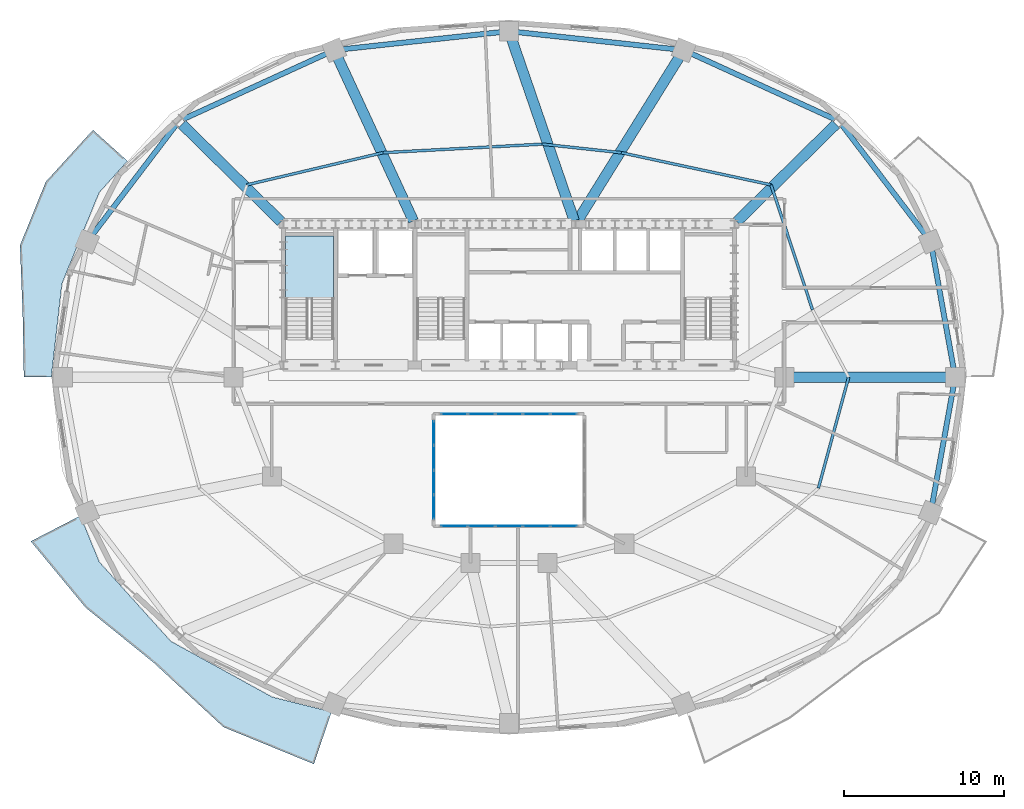
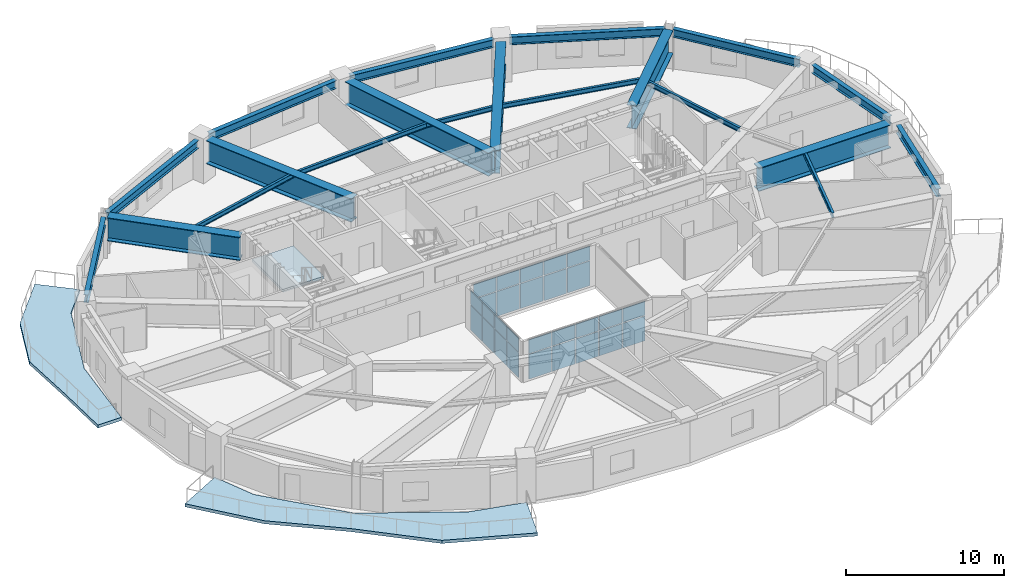
# One storey, part 5 of 13: 28 plates, 20 beams, 3 slabs, 4 elements without a shape of their own.
"""IFC4 building model written with IfcOpenShell, lengths in metres."""

from ifc_helpers import new_model, si_unit, direction, frame, origin, origin_2d, place, context, subcontext, project, spatial, polyline, rectangle, i_section, outline, extrude, material, layer, layer_set, material_profile, profile_set, type_object, element, aggregate, save


model = new_model("IFC4")

# Units and contexts
model_context = context("Model", 3, precision=1e-05, world=origin(), true_north=direction((0.0, 1.0)))
body_context = subcontext(model_context, "Body", "Model", "MODEL_VIEW")
ifc_project = project(units=[si_unit("LENGTHUNIT", "METRE"), si_unit("AREAUNIT", "SQUARE_METRE"), si_unit("VOLUMEUNIT", "CUBIC_METRE"), si_unit("PLANEANGLEUNIT", "RADIAN"), si_unit("MASSUNIT", "GRAM", prefix="KILO")], contexts=[model_context])

# Site, building, storey
site_placement = place(None, origin())
site = spatial("IfcSite", under=ifc_project, at=site_placement, CompositionType="ELEMENT")
building_placement = place(site_placement, origin())
building = spatial("IfcBuilding", under=site, at=building_placement, Name="Haldorwick Loom Tower", CompositionType="ELEMENT")
storey_placement = place(building_placement, frame((0.0, 0.0, 127.699951171875)))
storey = spatial("IfcBuildingStorey", under=building, at=storey_placement, Name="L34", CompositionType="ELEMENT", Elevation=127.699951171875)

# Beams
ifc_material_1 = material(Name="Steel CSA G40.21 350W", Category="steel")
ifc_material_profile_1 = material_profile(ifc_material_1, i_section(OverallWidth=0.172119140625, OverallDepth=0.35791015625, WebThickness=0.0078125, FlangeThickness=0.01318359375, at=origin_2d()), Name="W360X57", Category="steel")
ifc_profile_set_1 = profile_set([ifc_material_profile_1], Name="Steel CSA G40.21 350W")
beam_type_1 = type_object("IfcBeamType", Name="STR-BM-J360", PredefinedType="JOIST", material=ifc_profile_set_1)
beam_1_placement = place(storey_placement, frame((54.953125, 30.201904296875, 2.990966796875), z_axis=(-0.314980632705, 0.949098098734, 0.0), x_axis=(-0.949098098734, -0.314980632705, 0.0)))
element("IfcBeam", 1, at=beam_1_placement, inside=storey, type_object=beam_type_1, Name="L34 Mid-Bay Secondary Joist 2", PredefinedType="JOIST", context=body_context, shape_type="SweptSolid", body=[
    extrude(i_section(OverallWidth=0.172119140625, OverallDepth=0.35791015625, WebThickness=0.0078125, FlangeThickness=0.01318359375, at=origin_2d()), origin(), (0.0, 0.0, 1.0), 8.223876953125),
])
beam_2_placement = place(storey_placement, frame((52.36279296875, 38.007080078125, 2.990966796875), z_axis=(-0.977737366421, 0.209832414808, 0.0), x_axis=(-0.209832414808, -0.977737366421, 0.0)))
element("IfcBeam", 2, at=beam_2_placement, inside=storey, type_object=beam_type_1, Name="L34 Mid-Bay Secondary Joist 3", PredefinedType="JOIST", context=body_context, shape_type="SweptSolid", body=[
    extrude(i_section(OverallWidth=0.172119140625, OverallDepth=0.35791015625, WebThickness=0.0078125, FlangeThickness=0.01318359375, at=origin_2d()), origin(), (0.0, 0.0, 1.0), 9.56396484375),
])
beam_3_placement = place(storey_placement, frame((43.01171875, 40.013916015625, 2.990966796875), z_axis=(-0.994212584227, 0.107430616514, 0.0), x_axis=(-0.107430616514, -0.994212584227, 0.0)))
element("IfcBeam", 3, at=beam_3_placement, inside=storey, type_object=beam_type_1, Name="L34 Mid-Bay Secondary Joist 4", PredefinedType="JOIST", context=body_context, shape_type="SweptSolid", body=[
    extrude(i_section(OverallWidth=0.172119140625, OverallDepth=0.35791015625, WebThickness=0.0078125, FlangeThickness=0.01318359375, at=origin_2d()), origin(), (0.0, 0.0, 1.0), 4.965576171875),
])
beam_4_placement = place(storey_placement, frame((38.074951171875, 40.54736328125, 2.990966796875), z_axis=(-0.998564927415, -0.053554511828, 0.0), x_axis=(0.053554511828, -0.998564927415, 0.0)))
element("IfcBeam", 4, at=beam_4_placement, inside=storey, type_object=beam_type_1, Name="L34 Mid-Bay Secondary Joist 5", PredefinedType="JOIST", context=body_context, shape_type="SweptSolid", body=[
    extrude(i_section(OverallWidth=0.172119140625, OverallDepth=0.35791015625, WebThickness=0.0078125, FlangeThickness=0.01318359375, at=origin_2d()), origin(), (0.0, 0.0, 1.0), 9.9609375),
])
beam_5_placement = place(storey_placement, frame((28.12841796875, 40.013916015625, 2.990966796875), z_axis=(-0.973189168086, -0.230006180612, 0.0), x_axis=(0.230006180612, -0.973189168086, 0.0)))
element("IfcBeam", 5, at=beam_5_placement, inside=storey, type_object=beam_type_1, Name="L34 Mid-Bay Secondary Joist 6", PredefinedType="JOIST", context=body_context, shape_type="SweptSolid", body=[
    extrude(i_section(OverallWidth=0.172119140625, OverallDepth=0.35791015625, WebThickness=0.0078125, FlangeThickness=0.01318359375, at=origin_2d()), origin(), (0.0, 0.0, 1.0), 8.72509765625),
])
beam_6_placement = place(storey_placement, frame((55.318115234375, 19.072998046875, 2.990966796875), z_axis=(0.263272762578, 0.964721437766, 0.0), x_axis=(-0.964721437766, 0.263272762578, 0.0)))
element("IfcBeam", 6, at=beam_6_placement, inside=storey, type_object=beam_type_1, Name="L34 Mid-Bay Secondary Joist 16", PredefinedType="JOIST", context=body_context, shape_type="SweptSolid", body=[
    extrude(i_section(OverallWidth=0.172119140625, OverallDepth=0.35791015625, WebThickness=0.0078125, FlangeThickness=0.01318359375, at=origin_2d()), origin(), (0.0, 0.0, 1.0), 7.180419921875),
])
ifc_material_profile_2 = material_profile(ifc_material_1, i_section(OverallWidth=0.324951171875, OverallDepth=0.615966796875, WebThickness=0.013916015625, FlangeThickness=0.021484375, at=origin_2d()), Name="W610X174", Category="steel")
ifc_profile_set_2 = profile_set([ifc_material_profile_2], Name="Steel CSA G40.21 350W")
beam_type_2 = type_object("IfcBeamType", Name="STR-BM-SP610", PredefinedType="SPANDREL", material=ifc_profile_set_2)
beam_7_placement = place(storey_placement, frame((63.76513671875, 26.51171875, 2.862060546875), z_axis=(-0.177659490888, 0.984092020747, 0.0), x_axis=(-0.984092020747, -0.177659490888, 0.0)))
element("IfcBeam", 7, at=beam_7_placement, inside=storey, type_object=beam_type_2, Name="L34 Perimeter Spandrel 1", PredefinedType="SPANDREL", context=body_context, shape_type="SweptSolid", body=[
    extrude(i_section(OverallWidth=0.324951171875, OverallDepth=0.615966796875, WebThickness=0.013916015625, FlangeThickness=0.021484375, at=origin_2d()), origin(), (0.0, 0.0, 1.0), 7.553955078125),
])
beam_8_placement = place(storey_placement, frame((62.015869140625, 34.87109375, 2.862060546875), z_axis=(-0.605453508047, 0.795880675475, 0.0), x_axis=(-0.795880675475, -0.605453508047, 0.0)))
element("IfcBeam", 8, at=beam_8_placement, inside=storey, type_object=beam_type_2, Name="L34 Perimeter Spandrel 2", PredefinedType="SPANDREL", context=body_context, shape_type="SweptSolid", body=[
    extrude(i_section(OverallWidth=0.324951171875, OverallDepth=0.615966796875, WebThickness=0.013916015625, FlangeThickness=0.021484375, at=origin_2d()), origin(), (0.0, 0.0, 1.0), 8.6591796875),
])
beam_9_placement = place(storey_placement, frame((56.356689453125, 42.09619140625, 2.862060546875), z_axis=(-0.909423969306, 0.415870225011, 0.0), x_axis=(-0.415870225011, -0.909423969306, 0.0)))
element("IfcBeam", 9, at=beam_9_placement, inside=storey, type_object=beam_type_2, Name="L34 Perimeter Spandrel 3", PredefinedType="SPANDREL", context=body_context, shape_type="SweptSolid", body=[
    extrude(i_section(OverallWidth=0.324951171875, OverallDepth=0.615966796875, WebThickness=0.013916015625, FlangeThickness=0.021484375, at=origin_2d()), origin(), (0.0, 0.0, 1.0), 9.871337890625),
])
for number, where, z_axis, x_axis, name in (
    (10, (46.389404296875, 46.4736328125, 2.862060546875), (-0.994190135627, 0.107638163409, 0.0), (-0.107638163409, -0.994190135627, 0.0), "L34 Perimeter Spandrel 4"),
    (11, (35.48291015625, 47.54248046875, 2.862060546875), (-0.994190135627, -0.107638163409, 0.0), (0.107638163409, -0.994190135627, 0.0), "L34 Perimeter Spandrel 5"),
):
    element("IfcBeam", number, at=place(storey_placement, frame(where, z_axis=z_axis, x_axis=x_axis)), inside=storey, type_object=beam_type_2, Name=name, PredefinedType="SPANDREL", context=body_context, shape_type="SweptSolid", body=[
        extrude(i_section(OverallWidth=0.324951171875, OverallDepth=0.615966796875, WebThickness=0.013916015625, FlangeThickness=0.021484375, at=origin_2d()), origin(), (0.0, 0.0, 1.0), 9.929931640625),
    ])
beam_10_placement = place(storey_placement, frame((24.62060546875, 46.201416015625, 2.862060546875), z_axis=(-0.909423969306, -0.415870225011, 0.0), x_axis=(0.415870225011, -0.909423969306, 0.0)))
element("IfcBeam", 12, at=beam_10_placement, inside=storey, type_object=beam_type_2, Name="L34 Perimeter Spandrel 6", PredefinedType="SPANDREL", context=body_context, shape_type="SweptSolid", body=[
    extrude(i_section(OverallWidth=0.324951171875, OverallDepth=0.615966796875, WebThickness=0.013916015625, FlangeThickness=0.021484375, at=origin_2d()), origin(), (0.0, 0.0, 1.0), 9.871337890625),
])
beam_11_placement = place(storey_placement, frame((15.226806640625, 41.7626953125, 2.862060546875), z_axis=(-0.605453508047, -0.795880675475, 0.0), x_axis=(0.795880675475, -0.605453508047, 0.0)))
element("IfcBeam", 13, at=beam_11_placement, inside=storey, type_object=beam_type_2, Name="L34 Perimeter Spandrel 7", PredefinedType="SPANDREL", context=body_context, shape_type="SweptSolid", body=[
    extrude(i_section(OverallWidth=0.324951171875, OverallDepth=0.615966796875, WebThickness=0.013916015625, FlangeThickness=0.021484375, at=origin_2d()), origin(), (0.0, 0.0, 1.0), 8.6591796875),
])
beam_12_placement = place(storey_placement, frame((62.423095703125, 18.054443359375, 2.862060546875), z_axis=(0.177659490888, 0.984092020747, 0.0), x_axis=(-0.984092020747, 0.177659490888, 0.0)))
element("IfcBeam", 14, at=beam_12_placement, inside=storey, type_object=beam_type_2, Name="L34 Perimeter Spandrel 16", PredefinedType="SPANDREL", context=body_context, shape_type="SweptSolid", body=[
    extrude(i_section(OverallWidth=0.324951171875, OverallDepth=0.615966796875, WebThickness=0.013916015625, FlangeThickness=0.021484375, at=origin_2d()), origin(), (0.0, 0.0, 1.0), 7.553955078125),
])
ifc_material_2 = material(Name="Steel CSA G40.21 350WT", Category="steel")
ifc_material_profile_3 = material_profile(ifc_material_2, i_section(OverallWidth=0.64990234375, OverallDepth=1.800048828125, WebThickness=0.02587890625, FlangeThickness=0.048095703125, at=origin_2d()), Name="WWF1800X650", Category="steel")
ifc_profile_set_3 = profile_set([ifc_material_profile_3], Name="Steel CSA G40.21 350WT")
beam_type_3 = type_object("IfcBeamType", Name="STR-BM-TG1800", PredefinedType="BEAM", material=ifc_profile_set_3)
beam_13_placement = place(storey_placement, frame((53.719970703125, 26.0, 2.27001953125), z_axis=(1.0, 0.0, 0.0), x_axis=(0.0, 1.0, 0.0)))
element("IfcBeam", 15, at=beam_13_placement, inside=storey, type_object=beam_type_3, Name="L34 Setback Inner Transfer Girder 1", PredefinedType="BEAM", context=body_context, shape_type="SweptSolid", body=[
    extrude(i_section(OverallWidth=0.64990234375, OverallDepth=1.800048828125, WebThickness=0.02587890625, FlangeThickness=0.048095703125, at=origin_2d()), origin(), (0.0, 0.0, 1.0), 9.61767578125),
])
beam_14_placement = place(storey_placement, frame((50.23046875, 35.707763671875, 2.27001953125), z_axis=(0.712813667541, 0.701353459653, 0.0), x_axis=(-0.701353459653, 0.712813667541, 0.0)))
element("IfcBeam", 16, at=beam_14_placement, inside=storey, type_object=beam_type_3, Name="L34 Setback Inner Transfer Girder 3", PredefinedType="BEAM", context=body_context, shape_type="SweptSolid", body=[
    extrude(i_section(OverallWidth=0.64990234375, OverallDepth=1.800048828125, WebThickness=0.02587890625, FlangeThickness=0.048095703125, at=origin_2d()), origin(), (0.0, 0.0, 1.0), 8.67041015625),
])
beam_15_placement = place(storey_placement, frame((40.268798828125, 35.7412109375, 2.27001953125), z_axis=(0.527983484361, 0.849254638046, 0.0), x_axis=(-0.849254638046, 0.527983484361, 0.0)))
element("IfcBeam", 17, at=beam_15_placement, inside=storey, type_object=beam_type_3, Name="L34 Setback Inner Transfer Girder 4", PredefinedType="BEAM", context=body_context, shape_type="SweptSolid", body=[
    extrude(i_section(OverallWidth=0.64990234375, OverallDepth=1.800048828125, WebThickness=0.02587890625, FlangeThickness=0.048095703125, at=origin_2d()), origin(), (0.0, 0.0, 1.0), 12.051513671875),
])
beam_16_placement = place(storey_placement, frame((40.07666015625, 35.7626953125, 2.27001953125), z_axis=(-0.325673980289, 0.945482130218, 0.0), x_axis=(-0.945482130218, -0.325673980289, 0.0)))
element("IfcBeam", 18, at=beam_16_placement, inside=storey, type_object=beam_type_3, Name="L34 Setback Inner Transfer Girder 5", PredefinedType="BEAM", context=body_context, shape_type="SweptSolid", body=[
    extrude(i_section(OverallWidth=0.64990234375, OverallDepth=1.800048828125, WebThickness=0.02587890625, FlangeThickness=0.048095703125, at=origin_2d()), origin(), (0.0, 0.0, 1.0), 11.998046875),
])
beam_17_placement = place(storey_placement, frame((30.035400390625, 35.754150390625, 2.27001953125), z_axis=(-0.420492432459, 0.907296045536, 0.0), x_axis=(-0.907296045536, -0.420492432459, 0.0)))
element("IfcBeam", 19, at=beam_17_placement, inside=storey, type_object=beam_type_3, Name="L34 Setback Inner Transfer Girder 6", PredefinedType="BEAM", context=body_context, shape_type="SweptSolid", body=[
    extrude(i_section(OverallWidth=0.64990234375, OverallDepth=1.800048828125, WebThickness=0.02587890625, FlangeThickness=0.048095703125, at=origin_2d()), origin(), (0.0, 0.0, 1.0), 11.23291015625),
])
beam_18_placement = place(storey_placement, frame((21.76953125, 35.707763671875, 2.27001953125), z_axis=(-0.712813667541, 0.701353459653, 0.0), x_axis=(-0.701353459653, -0.712813667541, 0.0)))
element("IfcBeam", 20, at=beam_18_placement, inside=storey, type_object=beam_type_3, Name="L34 Setback Inner Transfer Girder 7", PredefinedType="BEAM", context=body_context, shape_type="SweptSolid", body=[
    extrude(i_section(OverallWidth=0.64990234375, OverallDepth=1.800048828125, WebThickness=0.02587890625, FlangeThickness=0.048095703125, at=origin_2d()), origin(), (0.0, 0.0, 1.0), 8.67041015625),
])

# Curtain wall, plates
ifc_material_3 = material(Name="Thermally Broken Anodized Aluminium Curtain Wall Framing", Category="aluminium")
curtain_wall_type = type_object("IfcCurtainWallType", Name="ARC-CW-03", PredefinedType="NOTDEFINED", material=ifc_material_3)
curtain_wall_1_placement = place(storey_placement, origin())
curtain_wall_1 = element("IfcCurtainWall", 21, at=curtain_wall_1_placement, inside=storey, type_object=curtain_wall_type, Name="L34 Atrium Glazed Screen S", PredefinedType="NOTDEFINED")
ifc_material_4 = material(Name="Triple-Glazed Low-E Argon Insulated Glazing Unit", Category="glass")
ifc_layer_1 = layer(ifc_material_4, 0.04296875, Name="Triple-Glazed Low-E Argon Insulated Glazing Unit", Category="glass")
ifc_layer_set_1 = layer_set([ifc_layer_1], Name="Triple-Glazed Low-E Argon Insulated Glazing Unit")
plate_type = type_object("IfcPlateType", Name="ARC-CWP-03", PredefinedType="CURTAIN_PANEL", material=ifc_layer_set_1)
plate_1_placement = place(storey_placement, frame((39.423583984375, 16.699951171875, 0.066162109375), z_axis=(0.0, 0.0, 1.0), x_axis=(-1.0, 0.0, 0.0)))
plate_1 = element("IfcPlate", 22, at=plate_1_placement, type_object=plate_type, Name="CW-03 panel 1.1", PredefinedType="CURTAIN_PANEL", context=body_context, shape_type="SweptSolid", body=[
    extrude(rectangle(XDim=1.62109375, YDim=0.04296875, at=origin_2d()), origin(), (0.0, 0.0, 1.0), 1.90087890625),
])
plate_2_placement = place(storey_placement, frame((39.423583984375, 16.699951171875, 2.033203125), z_axis=(0.0, 0.0, 1.0), x_axis=(-1.0, 0.0, 0.0)))
plate_2 = element("IfcPlate", 23, at=plate_2_placement, type_object=plate_type, Name="CW-03 panel 1.2", PredefinedType="CURTAIN_PANEL", context=body_context, shape_type="SweptSolid", body=[
    extrude(rectangle(XDim=1.62109375, YDim=0.04296875, at=origin_2d()), origin(), (0.0, 0.0, 1.0), 1.071044921875),
])
plate_3_placement = place(storey_placement, frame((37.719970703125, 16.699951171875, 0.066162109375), z_axis=(0.0, 0.0, 1.0), x_axis=(-1.0, 0.0, 0.0)))
plate_3 = element("IfcPlate", 24, at=plate_3_placement, type_object=plate_type, Name="CW-03 panel 2.1", PredefinedType="CURTAIN_PANEL", context=body_context, shape_type="SweptSolid", body=[
    extrude(rectangle(XDim=1.654052734375, YDim=0.04296875, at=origin_2d()), origin(), (0.0, 0.0, 1.0), 1.90087890625),
])
plate_4_placement = place(storey_placement, frame((37.719970703125, 16.699951171875, 2.033203125), z_axis=(0.0, 0.0, 1.0), x_axis=(-1.0, 0.0, 0.0)))
plate_4 = element("IfcPlate", 25, at=plate_4_placement, type_object=plate_type, Name="CW-03 panel 2.2", PredefinedType="CURTAIN_PANEL", context=body_context, shape_type="SweptSolid", body=[
    extrude(rectangle(XDim=1.654052734375, YDim=0.04296875, at=origin_2d()), origin(), (0.0, 0.0, 1.0), 1.071044921875),
])
plate_5_placement = place(storey_placement, frame((36.0, 16.699951171875, 0.066162109375), z_axis=(0.0, 0.0, 1.0), x_axis=(-1.0, 0.0, 0.0)))
plate_5 = element("IfcPlate", 26, at=plate_5_placement, type_object=plate_type, Name="CW-03 panel 3.1", PredefinedType="CURTAIN_PANEL", context=body_context, shape_type="SweptSolid", body=[
    extrude(rectangle(XDim=1.654052734375, YDim=0.04296875, at=origin_2d()), origin(), (0.0, 0.0, 1.0), 1.90087890625),
])
plate_6_placement = place(storey_placement, frame((36.0, 16.699951171875, 2.033203125), z_axis=(0.0, 0.0, 1.0), x_axis=(-1.0, 0.0, 0.0)))
plate_6 = element("IfcPlate", 27, at=plate_6_placement, type_object=plate_type, Name="CW-03 panel 3.2", PredefinedType="CURTAIN_PANEL", context=body_context, shape_type="SweptSolid", body=[
    extrude(rectangle(XDim=1.654052734375, YDim=0.04296875, at=origin_2d()), origin(), (0.0, 0.0, 1.0), 1.071044921875),
])
plate_7_placement = place(storey_placement, frame((34.280029296875, 16.699951171875, 0.066162109375), z_axis=(0.0, 0.0, 1.0), x_axis=(-1.0, 0.0, 0.0)))
plate_7 = element("IfcPlate", 28, at=plate_7_placement, type_object=plate_type, Name="CW-03 panel 4.1", PredefinedType="CURTAIN_PANEL", context=body_context, shape_type="SweptSolid", body=[
    extrude(rectangle(XDim=1.654052734375, YDim=0.04296875, at=origin_2d()), origin(), (0.0, 0.0, 1.0), 1.90087890625),
])
plate_8_placement = place(storey_placement, frame((34.280029296875, 16.699951171875, 2.033203125), z_axis=(0.0, 0.0, 1.0), x_axis=(-1.0, 0.0, 0.0)))
plate_8 = element("IfcPlate", 29, at=plate_8_placement, type_object=plate_type, Name="CW-03 panel 4.2", PredefinedType="CURTAIN_PANEL", context=body_context, shape_type="SweptSolid", body=[
    extrude(rectangle(XDim=1.654052734375, YDim=0.04296875, at=origin_2d()), origin(), (0.0, 0.0, 1.0), 1.071044921875),
])
plate_9_placement = place(storey_placement, frame((32.576416015625, 16.699951171875, 0.066162109375), z_axis=(0.0, 0.0, 1.0), x_axis=(-1.0, 0.0, 0.0)))
plate_9 = element("IfcPlate", 30, at=plate_9_placement, type_object=plate_type, Name="CW-03 panel 5.1", PredefinedType="CURTAIN_PANEL", context=body_context, shape_type="SweptSolid", body=[
    extrude(rectangle(XDim=1.62109375, YDim=0.04296875, at=origin_2d()), origin(), (0.0, 0.0, 1.0), 1.90087890625),
])
plate_10_placement = place(storey_placement, frame((32.576416015625, 16.699951171875, 2.033203125), z_axis=(0.0, 0.0, 1.0), x_axis=(-1.0, 0.0, 0.0)))
plate_10 = element("IfcPlate", 31, at=plate_10_placement, type_object=plate_type, Name="CW-03 panel 5.2", PredefinedType="CURTAIN_PANEL", context=body_context, shape_type="SweptSolid", body=[
    extrude(rectangle(XDim=1.62109375, YDim=0.04296875, at=origin_2d()), origin(), (0.0, 0.0, 1.0), 1.071044921875),
])
aggregate(curtain_wall_1, [plate_1, plate_2, plate_3, plate_4, plate_5, plate_6, plate_7, plate_8, plate_9, plate_10])

curtain_wall_2_placement = place(storey_placement, origin())
curtain_wall_2 = element("IfcCurtainWall", 32, at=curtain_wall_2_placement, inside=storey, type_object=curtain_wall_type, Name="L34 Atrium Glazed Screen N", PredefinedType="NOTDEFINED")
plate_11_placement = place(storey_placement, frame((32.576416015625, 23.699951171875, 0.066162109375), z_axis=(0.0, 0.0, 1.0), x_axis=(1.0, 0.0, 0.0)))
plate_11 = element("IfcPlate", 33, at=plate_11_placement, type_object=plate_type, Name="CW-03 panel 1.1", PredefinedType="CURTAIN_PANEL", context=body_context, shape_type="SweptSolid", body=[
    extrude(rectangle(XDim=1.62109375, YDim=0.04296875, at=origin_2d()), origin(), (0.0, 0.0, 1.0), 1.90087890625),
])
plate_12_placement = place(storey_placement, frame((32.576416015625, 23.699951171875, 2.033203125), z_axis=(0.0, 0.0, 1.0), x_axis=(1.0, 0.0, 0.0)))
plate_12 = element("IfcPlate", 34, at=plate_12_placement, type_object=plate_type, Name="CW-03 panel 1.2", PredefinedType="CURTAIN_PANEL", context=body_context, shape_type="SweptSolid", body=[
    extrude(rectangle(XDim=1.62109375, YDim=0.04296875, at=origin_2d()), origin(), (0.0, 0.0, 1.0), 1.071044921875),
])
plate_13_placement = place(storey_placement, frame((34.280029296875, 23.699951171875, 0.066162109375), z_axis=(0.0, 0.0, 1.0), x_axis=(1.0, 0.0, 0.0)))
plate_13 = element("IfcPlate", 35, at=plate_13_placement, type_object=plate_type, Name="CW-03 panel 2.1", PredefinedType="CURTAIN_PANEL", context=body_context, shape_type="SweptSolid", body=[
    extrude(rectangle(XDim=1.654052734375, YDim=0.04296875, at=origin_2d()), origin(), (0.0, 0.0, 1.0), 1.90087890625),
])
plate_14_placement = place(storey_placement, frame((34.280029296875, 23.699951171875, 2.033203125), z_axis=(0.0, 0.0, 1.0), x_axis=(1.0, 0.0, 0.0)))
plate_14 = element("IfcPlate", 36, at=plate_14_placement, type_object=plate_type, Name="CW-03 panel 2.2", PredefinedType="CURTAIN_PANEL", context=body_context, shape_type="SweptSolid", body=[
    extrude(rectangle(XDim=1.654052734375, YDim=0.04296875, at=origin_2d()), origin(), (0.0, 0.0, 1.0), 1.071044921875),
])
plate_15_placement = place(storey_placement, frame((36.0, 23.699951171875, 0.066162109375), z_axis=(0.0, 0.0, 1.0), x_axis=(1.0, 0.0, 0.0)))
plate_15 = element("IfcPlate", 37, at=plate_15_placement, type_object=plate_type, Name="CW-03 panel 3.1", PredefinedType="CURTAIN_PANEL", context=body_context, shape_type="SweptSolid", body=[
    extrude(rectangle(XDim=1.654052734375, YDim=0.04296875, at=origin_2d()), origin(), (0.0, 0.0, 1.0), 1.90087890625),
])
plate_16_placement = place(storey_placement, frame((36.0, 23.699951171875, 2.033203125), z_axis=(0.0, 0.0, 1.0), x_axis=(1.0, 0.0, 0.0)))
plate_16 = element("IfcPlate", 38, at=plate_16_placement, type_object=plate_type, Name="CW-03 panel 3.2", PredefinedType="CURTAIN_PANEL", context=body_context, shape_type="SweptSolid", body=[
    extrude(rectangle(XDim=1.654052734375, YDim=0.04296875, at=origin_2d()), origin(), (0.0, 0.0, 1.0), 1.071044921875),
])
plate_17_placement = place(storey_placement, frame((37.719970703125, 23.699951171875, 0.066162109375), z_axis=(0.0, 0.0, 1.0), x_axis=(1.0, 0.0, 0.0)))
plate_17 = element("IfcPlate", 39, at=plate_17_placement, type_object=plate_type, Name="CW-03 panel 4.1", PredefinedType="CURTAIN_PANEL", context=body_context, shape_type="SweptSolid", body=[
    extrude(rectangle(XDim=1.654052734375, YDim=0.04296875, at=origin_2d()), origin(), (0.0, 0.0, 1.0), 1.90087890625),
])
plate_18_placement = place(storey_placement, frame((37.719970703125, 23.699951171875, 2.033203125), z_axis=(0.0, 0.0, 1.0), x_axis=(1.0, 0.0, 0.0)))
plate_18 = element("IfcPlate", 40, at=plate_18_placement, type_object=plate_type, Name="CW-03 panel 4.2", PredefinedType="CURTAIN_PANEL", context=body_context, shape_type="SweptSolid", body=[
    extrude(rectangle(XDim=1.654052734375, YDim=0.04296875, at=origin_2d()), origin(), (0.0, 0.0, 1.0), 1.071044921875),
])
plate_19_placement = place(storey_placement, frame((39.423583984375, 23.699951171875, 0.066162109375), z_axis=(0.0, 0.0, 1.0), x_axis=(1.0, 0.0, 0.0)))
plate_19 = element("IfcPlate", 41, at=plate_19_placement, type_object=plate_type, Name="CW-03 panel 5.1", PredefinedType="CURTAIN_PANEL", context=body_context, shape_type="SweptSolid", body=[
    extrude(rectangle(XDim=1.62109375, YDim=0.04296875, at=origin_2d()), origin(), (0.0, 0.0, 1.0), 1.90087890625),
])
plate_20_placement = place(storey_placement, frame((39.423583984375, 23.699951171875, 2.033203125), z_axis=(0.0, 0.0, 1.0), x_axis=(1.0, 0.0, 0.0)))
plate_20 = element("IfcPlate", 42, at=plate_20_placement, type_object=plate_type, Name="CW-03 panel 5.2", PredefinedType="CURTAIN_PANEL", context=body_context, shape_type="SweptSolid", body=[
    extrude(rectangle(XDim=1.62109375, YDim=0.04296875, at=origin_2d()), origin(), (0.0, 0.0, 1.0), 1.071044921875),
])
aggregate(curtain_wall_2, [plate_11, plate_12, plate_13, plate_14, plate_15, plate_16, plate_17, plate_18, plate_19, plate_20])

curtain_wall_3_placement = place(storey_placement, origin())
curtain_wall_3 = element("IfcCurtainWall", 43, at=curtain_wall_3_placement, inside=storey, type_object=curtain_wall_type, Name="L34 Atrium Glazed Screen W", PredefinedType="NOTDEFINED")
plate_21_placement = place(storey_placement, frame((31.300048828125, 17.8916015625, 0.066162109375), z_axis=(0.0, 0.0, 1.0), x_axis=(0.0, 1.0, 0.0)))
plate_21 = element("IfcPlate", 44, at=plate_21_placement, type_object=plate_type, Name="CW-03 panel 1.1", PredefinedType="CURTAIN_PANEL", context=body_context, shape_type="SweptSolid", body=[
    extrude(rectangle(XDim=1.450927734375, YDim=0.04296875, at=origin_2d()), origin(), (0.0, 0.0, 1.0), 1.90087890625),
])
plate_22_placement = place(storey_placement, frame((31.300048828125, 17.8916015625, 2.033203125), z_axis=(0.0, 0.0, 1.0), x_axis=(0.0, 1.0, 0.0)))
plate_22 = element("IfcPlate", 45, at=plate_22_placement, type_object=plate_type, Name="CW-03 panel 1.2", PredefinedType="CURTAIN_PANEL", context=body_context, shape_type="SweptSolid", body=[
    extrude(rectangle(XDim=1.450927734375, YDim=0.04296875, at=origin_2d()), origin(), (0.0, 0.0, 1.0), 1.071044921875),
])
plate_23_placement = place(storey_placement, frame((31.300048828125, 19.425048828125, 0.066162109375), z_axis=(0.0, 0.0, 1.0), x_axis=(0.0, 1.0, 0.0)))
plate_23 = element("IfcPlate", 46, at=plate_23_placement, type_object=plate_type, Name="CW-03 panel 2.1", PredefinedType="CURTAIN_PANEL", context=body_context, shape_type="SweptSolid", body=[
    extrude(rectangle(XDim=1.48388671875, YDim=0.04296875, at=origin_2d()), origin(), (0.0, 0.0, 1.0), 1.90087890625),
])
plate_24_placement = place(storey_placement, frame((31.300048828125, 19.425048828125, 2.033203125), z_axis=(0.0, 0.0, 1.0), x_axis=(0.0, 1.0, 0.0)))
plate_24 = element("IfcPlate", 47, at=plate_24_placement, type_object=plate_type, Name="CW-03 panel 2.2", PredefinedType="CURTAIN_PANEL", context=body_context, shape_type="SweptSolid", body=[
    extrude(rectangle(XDim=1.48388671875, YDim=0.04296875, at=origin_2d()), origin(), (0.0, 0.0, 1.0), 1.071044921875),
])
plate_25_placement = place(storey_placement, frame((31.300048828125, 20.97509765625, 0.066162109375), z_axis=(0.0, 0.0, 1.0), x_axis=(0.0, 1.0, 0.0)))
plate_25 = element("IfcPlate", 48, at=plate_25_placement, type_object=plate_type, Name="CW-03 panel 3.1", PredefinedType="CURTAIN_PANEL", context=body_context, shape_type="SweptSolid", body=[
    extrude(rectangle(XDim=1.48388671875, YDim=0.04296875, at=origin_2d()), origin(), (0.0, 0.0, 1.0), 1.90087890625),
])
plate_26_placement = place(storey_placement, frame((31.300048828125, 20.97509765625, 2.033203125), z_axis=(0.0, 0.0, 1.0), x_axis=(0.0, 1.0, 0.0)))
plate_26 = element("IfcPlate", 49, at=plate_26_placement, type_object=plate_type, Name="CW-03 panel 3.2", PredefinedType="CURTAIN_PANEL", context=body_context, shape_type="SweptSolid", body=[
    extrude(rectangle(XDim=1.48388671875, YDim=0.04296875, at=origin_2d()), origin(), (0.0, 0.0, 1.0), 1.071044921875),
])
plate_27_placement = place(storey_placement, frame((31.300048828125, 22.508544921875, 0.066162109375), z_axis=(0.0, 0.0, 1.0), x_axis=(0.0, 1.0, 0.0)))
plate_27 = element("IfcPlate", 50, at=plate_27_placement, type_object=plate_type, Name="CW-03 panel 4.1", PredefinedType="CURTAIN_PANEL", context=body_context, shape_type="SweptSolid", body=[
    extrude(rectangle(XDim=1.450927734375, YDim=0.04296875, at=origin_2d()), origin(), (0.0, 0.0, 1.0), 1.90087890625),
])
plate_28_placement = place(storey_placement, frame((31.300048828125, 22.508544921875, 2.033203125), z_axis=(0.0, 0.0, 1.0), x_axis=(0.0, 1.0, 0.0)))
plate_28 = element("IfcPlate", 51, at=plate_28_placement, type_object=plate_type, Name="CW-03 panel 4.2", PredefinedType="CURTAIN_PANEL", context=body_context, shape_type="SweptSolid", body=[
    extrude(rectangle(XDim=1.450927734375, YDim=0.04296875, at=origin_2d()), origin(), (0.0, 0.0, 1.0), 1.071044921875),
])
aggregate(curtain_wall_3, [plate_21, plate_22, plate_23, plate_24, plate_25, plate_26, plate_27, plate_28])

# Slabs
ifc_material_5 = material(Name="Concrete C40 (40 MPa)", Category="concrete")
ifc_layer_2 = layer(ifc_material_5, 0.239990234375, Name="Concrete C40 (40 MPa)", Category="concrete")
ifc_layer_set_2 = layer_set([ifc_layer_2], Name="Concrete C40 (40 MPa)")
slab_type_1 = type_object("IfcSlabType", Name="STR-SLB-BAL240", PredefinedType="FLOOR", material=ifc_layer_set_2)
slab_1_placement = place(storey_placement, frame((0.0, 0.0, -0.239990234375)))
element("IfcSlab", 52, at=slab_1_placement, inside=storey, type_object=slab_type_1, Name="L34 Sinusoidal Balcony Terrace BAL_SW", PredefinedType="FLOOR", context=body_context, shape_type="SweptSolid", body=[
    extrude(outline(polyline([(24.91357421875, 5.10498046875), (21.23583984375, 6.022705078125), (21.234619140625, 6.023193359375), (21.2333984375, 6.023681640625), (21.232177734375, 6.0244140625), (14.89111328125, 9.51025390625), (14.8896484375, 9.510986328125), (14.88818359375, 9.51220703125), (14.88720703125, 9.51318359375), (10.4228515625, 14.464599609375), (10.421875, 14.465576171875), (10.421142578125, 14.466552734375), (10.420654296875, 14.4677734375), (10.419921875, 14.468994140625), (9.241455078125, 17.34814453125), (6.151611328125, 15.751708984375), (9.568115234375, 11.616943359375), (13.835693359375, 8.16259765625), (18.172607421875, 4.155517578125), (23.825439453125, 1.84326171875), (24.91357421875, 5.10498046875)])), origin(), (0.0, 0.0, 1.0), 0.239990234375),
])
slab_2_placement = place(storey_placement, frame((0.0, 0.0, -0.239990234375)))
element("IfcSlab", 53, at=slab_2_placement, inside=storey, type_object=slab_type_1, Name="L34 Sinusoidal Balcony Terrace BAL_WNW", PredefinedType="FLOOR", context=body_context, shape_type="SweptSolid", body=[
    extrude(outline(polyline([(7.427490234375, 26.0), (7.427490234375, 26.001708984375), (8.09033203125, 31.837890625), (8.090576171875, 31.83935546875), (8.0908203125, 31.840576171875), (8.09130859375, 31.841796875), (10.419921875, 37.531005859375), (10.420654296875, 37.5322265625), (10.421142578125, 37.533447265625), (10.421875, 37.534423828125), (10.4228515625, 37.535400390625), (12.1865234375, 39.49169921875), (10.03076171875, 41.431640625), (7.083984375, 38.197509765625), (5.47412109375, 34.22265625), (5.642578125, 29.9150390625), (5.7158203125, 26.0), (7.427490234375, 26.0)])), origin(), (0.0, 0.0, 1.0), 0.239990234375),
])

# Stair, slab
stair_type = type_object("IfcStairType", Name="STR-STR-CORE", PredefinedType="HALF_TURN_STAIR", material=ifc_material_5)
stair_placement = place(storey_placement, origin())
stair = element("IfcStair", 54, at=stair_placement, inside=storey, type_object=stair_type, Name="L34 Exit Stair ST-01", PredefinedType="HALF_TURN_STAIR")
ifc_layer_3 = layer(ifc_material_5, 0.199951171875, Name="Concrete C40 (40 MPa)", Category="concrete")
ifc_layer_set_3 = layer_set([ifc_layer_3], Name="Concrete C40 (40 MPa)")
slab_type_2 = type_object("IfcSlabType", Name="STR-SLB-LAND200", PredefinedType="LANDING", material=ifc_layer_set_3)
slab_3_placement = place(storey_placement, frame((0.0, 0.0, 1.525146484375)))
slab_3 = element("IfcSlab", 55, at=slab_3_placement, type_object=slab_type_2, Name="ST-01 landing 1", PredefinedType="LANDING", context=body_context, shape_type="SweptSolid", body=[
    extrude(outline(polyline([(25.050048828125, 30.919921875), (25.050048828125, 34.800048828125), (22.050048828125, 34.800048828125), (22.050048828125, 30.919921875), (25.050048828125, 30.919921875)])), origin(), (0.0, 0.0, 1.0), 0.199951171875),
])
aggregate(stair, [slab_3])

save(model, "model.ifc")
